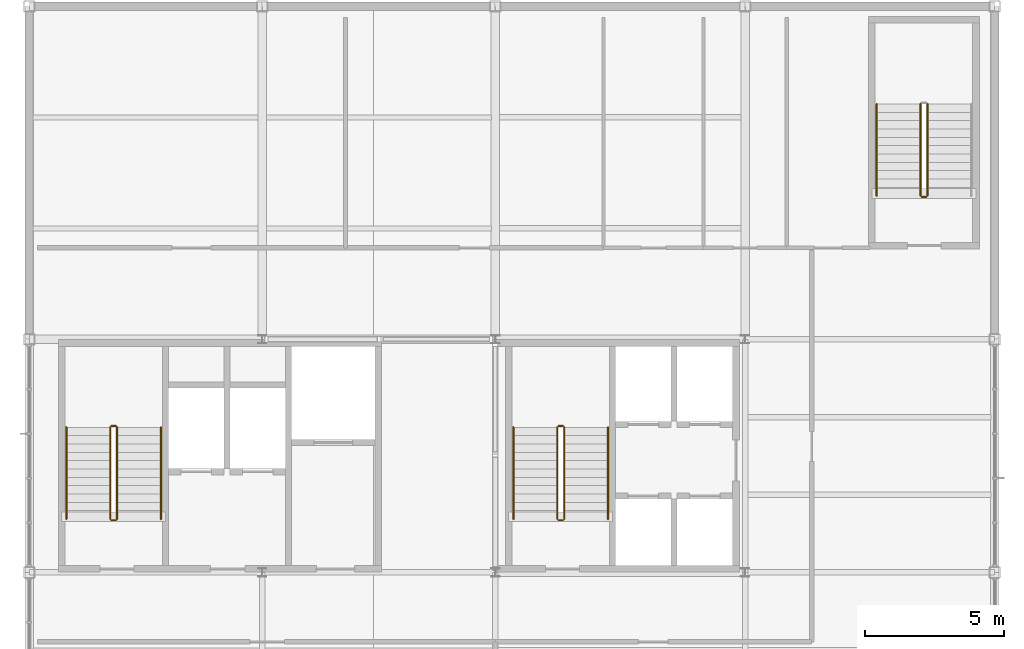
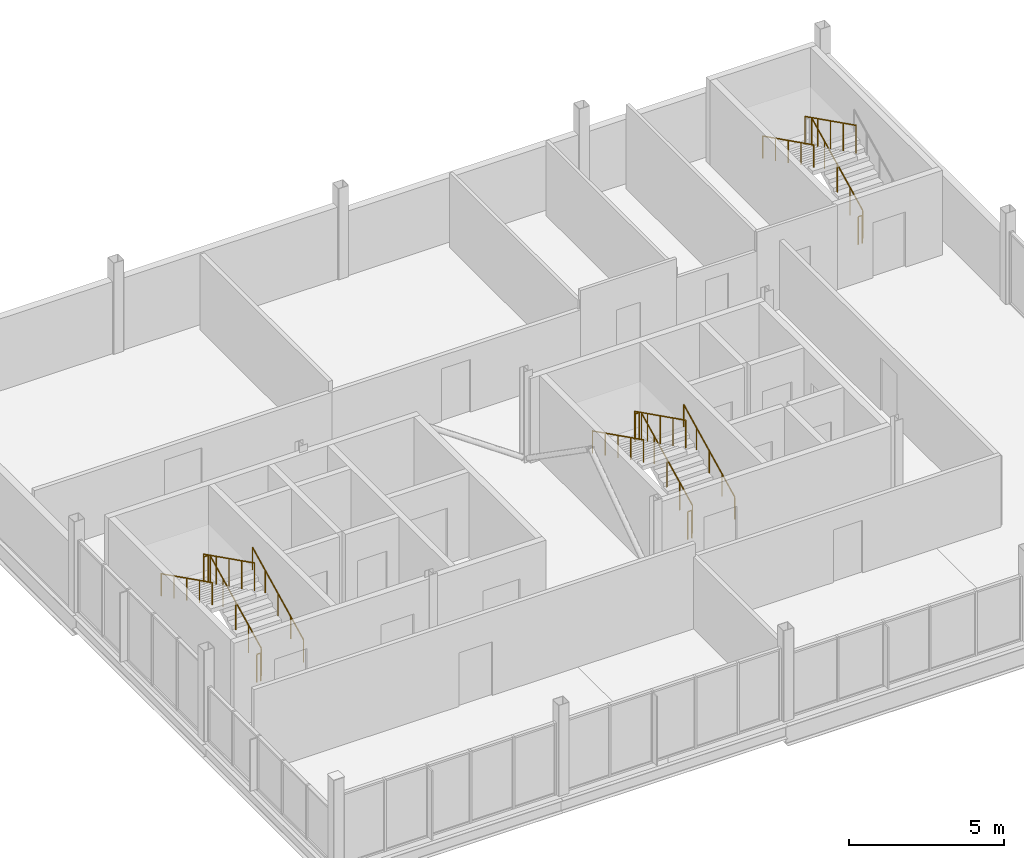
# One storey, part 14 of 15: 16 railings.
"""IFC4 building model written with IfcOpenShell, lengths in metres."""

import ifcopenshell
import ifcopenshell.guid

model = None  # the IFC model being written
_history = None  # IfcOwnerHistory: only IFC2X3 demands one
_inside = {}  # id of a spatial element -> (the spatial element, [elements in it])
_under = {}  # id of a project, library or spatial element -> (it, [spatial elements below it])
_declared = {}  # id of a project -> (the project, [libraries it declares])
_typed = {}  # id of a type object -> (the type object, [elements of that type])
_made_of = {}  # id of a material, layer set ... -> (it, [elements and type objects made of it])


def new_model(schema):
    """Start an empty IFC model of exactly this schema.

    Asked for "IFC4X3", IfcOpenShell would pick the latest addendum, in which some entities
    have other attributes; the version numbers below select the first issue.
    IFC2X3 requires an IfcOwnerHistory on every rooted entity: one is made here for all.
    """
    global model, _history
    if schema == "IFC4X3":
        model = ifcopenshell.file(schema_version=(4, 3, 0, 0))
    else:
        model = ifcopenshell.file(schema=schema)
    _inside.clear()
    _under.clear()
    _declared.clear()
    _typed.clear()
    _made_of.clear()
    _history = None
    if model.schema == "IFC2X3":
        org = make("IfcOrganization", Name="unknown")
        user = make(
            "IfcPersonAndOrganization",
            ThePerson=make("IfcPerson", FamilyName="unknown"),
            TheOrganization=org,
        )
        app = make(
            "IfcApplication",
            ApplicationDeveloper=org,
            Version="unknown",
            ApplicationFullName="unknown",
            ApplicationIdentifier="unknown",
        )
        _history = make(
            "IfcOwnerHistory",
            OwningUser=user,
            OwningApplication=app,
            ChangeAction="ADDED",
            CreationDate=0,
        )
    return model


def make(cls, **values):
    """One entity of the class cls with the attributes given. An attribute that is None is left unset."""
    return model.create_entity(
        cls, **{name: value for name, value in values.items() if value is not None}
    )


def rooted(cls, **values):
    """An entity with a GlobalId (a new one), such as an element, a storey or a relation."""
    return make(cls, GlobalId=ifcopenshell.guid.new(), OwnerHistory=_history, **values)


def si_unit(unit_type, name, prefix=None):
    """IfcSIUnit, for example si_unit("LENGTHUNIT", "METRE", prefix="MILLI")."""
    return make("IfcSIUnit", UnitType=unit_type, Prefix=prefix, Name=name)


def assignment(units):
    """IfcUnitAssignment: the units of a project."""
    return None if units is None else make("IfcUnitAssignment", Units=units)


def point(xyz):
    """IfcCartesianPoint."""
    return None if xyz is None else make("IfcCartesianPoint", Coordinates=xyz)


def direction(xyz):
    """IfcDirection."""
    return None if xyz is None else make("IfcDirection", DirectionRatios=xyz)


def frame(location, z_axis=None, x_axis=None):
    """IfcAxis2Placement3D, a coordinate frame: its origin and axes. An axis left out is left unset."""
    return make(
        "IfcAxis2Placement3D",
        Location=point(location),
        Axis=direction(z_axis),
        RefDirection=direction(x_axis),
    )


def frame_2d(location, x_axis=None):
    """IfcAxis2Placement2D, a coordinate frame in the plane: its origin and x axis."""
    return make(
        "IfcAxis2Placement2D", Location=point(location), RefDirection=direction(x_axis)
    )


def origin():
    """The frame at (0, 0, 0) with its axes left unset."""
    return frame((0.0, 0.0, 0.0))


def origin_2d():
    """The frame at (0, 0) in the plane with its x axis left unset."""
    return frame_2d((0.0, 0.0))


def place(relative_to, where):
    """IfcLocalPlacement: puts the frame where relative to a parent placement (None: the world)."""
    return make(
        "IfcLocalPlacement", PlacementRelTo=relative_to, RelativePlacement=where
    )


def context(
    kind, dimensions, precision=None, world=None, true_north=None, identifier=None
):
    """IfcGeometricRepresentationContext, for example the 3D "Model" context."""
    return make(
        "IfcGeometricRepresentationContext",
        ContextIdentifier=identifier,
        ContextType=kind,
        CoordinateSpaceDimension=dimensions,
        Precision=precision,
        WorldCoordinateSystem=world,
        TrueNorth=true_north,
    )


def subcontext(parent, identifier, kind, view, scale=None):
    """IfcGeometricRepresentationSubContext, for example "Body" below "Model"."""
    return make(
        "IfcGeometricRepresentationSubContext",
        ContextIdentifier=identifier,
        ContextType=kind,
        ParentContext=parent,
        TargetScale=scale,
        TargetView=view,
    )


def project(units=None, contexts=None):
    """IfcProject with its units and contexts."""
    return rooted(
        "IfcProject",
        Name="project",
        RepresentationContexts=contexts,
        UnitsInContext=assignment(units),
    )


def spatial(cls, under=None, at=None, **own):
    """A site, building, storey or space (cls), placed at a placement, below another one or the project."""
    s = rooted(cls, ObjectPlacement=at, **own)
    if under is not None:
        _under.setdefault(under.id(), (under, []))[1].append(s)
    return s


def profile(cls, at=None, kind="AREA", **sizes):
    """A parametric profile (cls). Its sizes go by their IFC names, for example OverallWidth=200.0."""
    return make(cls, ProfileType=kind, Position=at, **sizes)


def circle(**sizes):
    """IfcCircleProfileDef."""
    return profile("IfcCircleProfileDef", **sizes)


def extrude(swept, where, along, depth):
    """IfcExtrudedAreaSolid: the profile swept, set in the frame where, extruded along a direction by depth."""
    return make(
        "IfcExtrudedAreaSolid",
        SweptArea=swept,
        Position=where,
        ExtrudedDirection=direction(along),
        Depth=depth,
    )


def shape(context_of_items, identifier, shape_type, items):
    """IfcShapeRepresentation: the items that make up one representation, for example the "Body"."""
    return make(
        "IfcShapeRepresentation",
        ContextOfItems=context_of_items,
        RepresentationIdentifier=identifier,
        RepresentationType=shape_type,
        Items=items,
    )


def material(Name=None, Category=None):
    """IfcMaterial."""
    return make("IfcMaterial", Name=Name, Category=Category)


def layer(
    of_material, thickness, ventilated=None, Name=None, Category=None, Priority=None
):
    """IfcMaterialLayer: one layer of a wall or slab, of a material (None: an air gap)."""
    return make(
        "IfcMaterialLayer",
        Material=of_material,
        LayerThickness=thickness,
        IsVentilated=ventilated,
        Name=Name,
        Category=Category,
        Priority=Priority,
    )


def layer_set(layers, Name=None):
    """IfcMaterialLayerSet."""
    return make("IfcMaterialLayerSet", MaterialLayers=layers, LayerSetName=Name)


def made_of(thing, what):
    """Note that an element or type object is made of a material, layer set ...; save() writes the relation."""
    if what is not None:
        _made_of.setdefault(what.id(), (what, []))[1].append(thing)
    return thing


def type_object(cls, material=None, **own):
    """A type object (cls), such as IfcWallType, which elements share."""
    return made_of(rooted(cls, **own), material)


def element(
    cls,
    number,
    at=None,
    inside=None,
    cuts=None,
    type_object=None,
    material=None,
    context=None,
    identifier="Body",
    shape_type=None,
    held_by="IfcProductDefinitionShape",
    body=None,
    shapes=None,
    **own,
):
    """One element of the class cls, such as IfcWall. Its Tag is "e" and its number.

    at: its placement. inside: the storey or other place that contains it. cuts: it is an
    opening in that element (IfcRelVoidsElement). A single representation is given by context,
    identifier, shape_type and body (its items); several are given by shapes. held_by: the class
    of the entity that holds the representations. save() writes the other relations.
    """
    e = rooted(cls, Tag="e%d" % number, ObjectPlacement=at, **own)
    if body is not None:
        shapes = [shape(context, identifier, shape_type, body)]
    if shapes is not None:
        e.Representation = make(held_by, Representations=shapes)
    if inside is not None:
        _inside.setdefault(inside.id(), (inside, []))[1].append(e)
    if cuts is not None:
        rooted(
            "IfcRelVoidsElement", RelatingBuildingElement=cuts, RelatedOpeningElement=e
        )
    if type_object is not None:
        _typed.setdefault(type_object.id(), (type_object, []))[1].append(e)
    return made_of(e, material)


def aggregate(whole, parts):
    """IfcRelAggregates: a whole, such as a stair, and the parts it consists of."""
    return rooted("IfcRelAggregates", RelatingObject=whole, RelatedObjects=parts)


def save(model, path):
    """Write the relations noted so far, then the file.

    IfcRelAggregates (storeys below a building ...), IfcRelContainedInSpatialStructure (elements
    in a storey), IfcRelDefinesByType, IfcRelAssociatesMaterial and IfcRelDeclares: one each for
    every whole, place, type object, material and project.
    """
    for whole, parts in _under.values():
        aggregate(whole, parts)
    for where, things in _inside.values():
        rooted(
            "IfcRelContainedInSpatialStructure",
            RelatedElements=things,
            RelatingStructure=where,
        )
    for kind, things in _typed.values():
        rooted("IfcRelDefinesByType", RelatedObjects=things, RelatingType=kind)
    for what, things in _made_of.values():
        rooted("IfcRelAssociatesMaterial", RelatedObjects=things, RelatingMaterial=what)
    for by, libraries in _declared.values():
        rooted("IfcRelDeclares", RelatingContext=by, RelatedDefinitions=libraries)
    model.write(path)


model = new_model("IFC4")

# Units and contexts
model_context = context("Model", 3, precision=1e-05, world=origin(), true_north=direction((0.0, 1.0)))
body_context = subcontext(model_context, "Body", "Model", "MODEL_VIEW")
ifc_project = project(units=[si_unit("LENGTHUNIT", "METRE"), si_unit("AREAUNIT", "SQUARE_METRE"), si_unit("VOLUMEUNIT", "CUBIC_METRE"), si_unit("PLANEANGLEUNIT", "RADIAN"), si_unit("MASSUNIT", "GRAM", prefix="KILO")], contexts=[model_context])

# Site, building, storey
site_placement = place(None, origin())
site = spatial("IfcSite", under=ifc_project, at=site_placement, CompositionType="ELEMENT")
building_placement = place(site_placement, origin())
building = spatial("IfcBuilding", under=site, at=building_placement, Name="Yukiwa Park Conservatory and Herbarium", CompositionType="ELEMENT")
storey_placement = place(building_placement, frame((0.0, 0.0, 54.0)))
storey = spatial("IfcBuildingStorey", under=building, at=storey_placement, Name="L14", CompositionType="ELEMENT", Elevation=54.0)

# Railings
ifc_material_1 = material(Name="Steel Q235B", Category="steel")
ifc_layer_1 = layer(ifc_material_1, 0.050048828125)
ifc_layer_set_1 = layer_set([ifc_layer_1], Name="Steel Q235B")
railing_type_1 = type_object("IfcRailingType", Name="RL-STAIR-GUARD-1120", PredefinedType="BALUSTRADE", material=ifc_layer_set_1)
railing_1_placement = place(storey_placement, frame((136.3701171875, 96.72998046875, 0.14990234375)))
element("IfcRailing", 1, at=railing_1_placement, inside=storey, type_object=railing_type_1, Name="L14 ST-T1 stair guard 1", PredefinedType="BALUSTRADE", context=body_context, shape_type="SweptSolid", body=[
    extrude(circle(Radius=0.02392578125, at=origin_2d()), frame((0.0, 0.0, 1.09619140625), z_axis=(0.0, 0.894413956696, 0.447240063129), x_axis=(-1.0, 0.0, 0.0)), (0.0, 0.0, 1.0), 3.689697265625),
    extrude(circle(Radius=0.02099609375, at=origin_2d()), origin(), (0.0, 0.0, 1.0), 1.072021484375),
    extrude(circle(Radius=0.02099609375, at=origin_2d()), frame((0.0, 0.824951171875, 0.41259765625)), (0.0, 0.0, 1.0), 1.072021484375),
    extrude(circle(Radius=0.02099609375, at=origin_2d()), frame((0.0, 1.64990234375, 0.8251953125)), (0.0, 0.0, 1.0), 1.072021484375),
    extrude(circle(Radius=0.02099609375, at=origin_2d()), frame((0.0, 2.47509765625, 1.237548828125)), (0.0, 0.0, 1.0), 1.072021484375),
    extrude(circle(Radius=0.02099609375, at=origin_2d()), frame((0.0, 3.300048828125, 1.650146484375)), (0.0, 0.0, 1.0), 1.072021484375),
])
railing_2_placement = place(storey_placement, frame((136.320068359375, 100.080078125, 1.800048828125)))
element("IfcRailing", 2, at=railing_2_placement, inside=storey, type_object=railing_type_1, Name="L14 ST-T1 stair guard 2", PredefinedType="BALUSTRADE", context=body_context, shape_type="SweptSolid", body=[
    extrude(circle(Radius=0.02392578125, at=origin_2d()), frame((0.0, 0.0, 1.09619140625), z_axis=(-1.0, 0.0, 0.0), x_axis=(0.0, -1.0, 0.0)), (0.0, 0.0, 1.0), 0.150146484375),
    extrude(circle(Radius=0.02099609375, at=origin_2d()), origin(), (0.0, 0.0, 1.0), 1.072021484375),
    extrude(circle(Radius=0.02099609375, at=origin_2d()), frame((-0.150146484375, 0.0, 0.0)), (0.0, 0.0, 1.0), 1.072021484375),
])
railing_3_placement = place(storey_placement, frame((136.1201171875, 100.030029296875, 1.949951171875)))
element("IfcRailing", 3, at=railing_3_placement, inside=storey, type_object=railing_type_1, Name="L14 ST-T1 stair guard 3", PredefinedType="BALUSTRADE", context=body_context, shape_type="SweptSolid", body=[
    extrude(circle(Radius=0.02392578125, at=origin_2d()), frame((0.0, 0.0, 1.09619140625), z_axis=(0.0, -0.894413956696, 0.447240063129), x_axis=(1.0, 0.0, 0.0)), (0.0, 0.0, 1.0), 3.689697265625),
    extrude(circle(Radius=0.02099609375, at=origin_2d()), origin(), (0.0, 0.0, 1.0), 1.072021484375),
    extrude(circle(Radius=0.02099609375, at=origin_2d()), frame((0.0, -0.824951171875, 0.41259765625)), (0.0, 0.0, 1.0), 1.072021484375),
    extrude(circle(Radius=0.02099609375, at=origin_2d()), frame((0.0, -1.64990234375, 0.8251953125)), (0.0, 0.0, 1.0), 1.072021484375),
    extrude(circle(Radius=0.02099609375, at=origin_2d()), frame((0.0, -2.47509765625, 1.237548828125)), (0.0, 0.0, 1.0), 1.072021484375),
    extrude(circle(Radius=0.02099609375, at=origin_2d()), frame((0.0, -3.300048828125, 1.650146484375)), (0.0, 0.0, 1.0), 1.072021484375),
])
railing_4_placement = place(storey_placement, frame((136.320068359375, 96.679931640625, 0.0)))
element("IfcRailing", 4, at=railing_4_placement, inside=storey, type_object=railing_type_1, Name="L14 ST-T1 stair guard 4", PredefinedType="BALUSTRADE", context=body_context, shape_type="SweptSolid", body=[
    extrude(circle(Radius=0.02392578125, at=origin_2d()), frame((0.0, 0.0, 1.09619140625), z_axis=(-1.0, 0.0, 0.0), x_axis=(0.0, -1.0, 0.0)), (0.0, 0.0, 1.0), 0.150146484375),
    extrude(circle(Radius=0.02099609375, at=origin_2d()), origin(), (0.0, 0.0, 1.0), 1.072021484375),
    extrude(circle(Radius=0.02099609375, at=origin_2d()), frame((-0.150146484375, 0.0, 0.0)), (0.0, 0.0, 1.0), 1.072021484375),
])
railing_5_placement = place(storey_placement, frame((152.47998046875, 96.72998046875, 0.14990234375)))
element("IfcRailing", 5, at=railing_5_placement, inside=storey, type_object=railing_type_1, Name="L14 ST-T2 stair guard 1", PredefinedType="BALUSTRADE", context=body_context, shape_type="SweptSolid", body=[
    extrude(circle(Radius=0.02392578125, at=origin_2d()), frame((0.0, 0.0, 1.09619140625), z_axis=(0.0, 0.894413956696, 0.447240063129), x_axis=(-1.0, 0.0, 0.0)), (0.0, 0.0, 1.0), 3.689697265625),
    extrude(circle(Radius=0.02099609375, at=origin_2d()), origin(), (0.0, 0.0, 1.0), 1.072021484375),
    extrude(circle(Radius=0.02099609375, at=origin_2d()), frame((0.0, 0.824951171875, 0.41259765625)), (0.0, 0.0, 1.0), 1.072021484375),
    extrude(circle(Radius=0.02099609375, at=origin_2d()), frame((0.0, 1.64990234375, 0.8251953125)), (0.0, 0.0, 1.0), 1.072021484375),
    extrude(circle(Radius=0.02099609375, at=origin_2d()), frame((0.0, 2.47509765625, 1.237548828125)), (0.0, 0.0, 1.0), 1.072021484375),
    extrude(circle(Radius=0.02099609375, at=origin_2d()), frame((0.0, 3.300048828125, 1.650146484375)), (0.0, 0.0, 1.0), 1.072021484375),
])
railing_6_placement = place(storey_placement, frame((152.429931640625, 100.080078125, 1.800048828125)))
element("IfcRailing", 6, at=railing_6_placement, inside=storey, type_object=railing_type_1, Name="L14 ST-T2 stair guard 2", PredefinedType="BALUSTRADE", context=body_context, shape_type="SweptSolid", body=[
    extrude(circle(Radius=0.02392578125, at=origin_2d()), frame((0.0, 0.0, 1.09619140625), z_axis=(-1.0, 0.0, 0.0), x_axis=(0.0, -1.0, 0.0)), (0.0, 0.0, 1.0), 0.14990234375),
    extrude(circle(Radius=0.02099609375, at=origin_2d()), origin(), (0.0, 0.0, 1.0), 1.072021484375),
    extrude(circle(Radius=0.02099609375, at=origin_2d()), frame((-0.14990234375, 0.0, 0.0)), (0.0, 0.0, 1.0), 1.072021484375),
])
railing_7_placement = place(storey_placement, frame((152.22998046875, 100.030029296875, 1.949951171875)))
element("IfcRailing", 7, at=railing_7_placement, inside=storey, type_object=railing_type_1, Name="L14 ST-T2 stair guard 3", PredefinedType="BALUSTRADE", context=body_context, shape_type="SweptSolid", body=[
    extrude(circle(Radius=0.02392578125, at=origin_2d()), frame((0.0, 0.0, 1.09619140625), z_axis=(0.0, -0.894413956696, 0.447240063129), x_axis=(1.0, 0.0, 0.0)), (0.0, 0.0, 1.0), 3.689697265625),
    extrude(circle(Radius=0.02099609375, at=origin_2d()), origin(), (0.0, 0.0, 1.0), 1.072021484375),
    extrude(circle(Radius=0.02099609375, at=origin_2d()), frame((0.0, -0.824951171875, 0.41259765625)), (0.0, 0.0, 1.0), 1.072021484375),
    extrude(circle(Radius=0.02099609375, at=origin_2d()), frame((0.0, -1.64990234375, 0.8251953125)), (0.0, 0.0, 1.0), 1.072021484375),
    extrude(circle(Radius=0.02099609375, at=origin_2d()), frame((0.0, -2.47509765625, 1.237548828125)), (0.0, 0.0, 1.0), 1.072021484375),
    extrude(circle(Radius=0.02099609375, at=origin_2d()), frame((0.0, -3.300048828125, 1.650146484375)), (0.0, 0.0, 1.0), 1.072021484375),
])
railing_8_placement = place(storey_placement, frame((152.429931640625, 96.679931640625, 0.0)))
element("IfcRailing", 8, at=railing_8_placement, inside=storey, type_object=railing_type_1, Name="L14 ST-T2 stair guard 4", PredefinedType="BALUSTRADE", context=body_context, shape_type="SweptSolid", body=[
    extrude(circle(Radius=0.02392578125, at=origin_2d()), frame((0.0, 0.0, 1.09619140625), z_axis=(-1.0, 0.0, 0.0), x_axis=(0.0, -1.0, 0.0)), (0.0, 0.0, 1.0), 0.14990234375),
    extrude(circle(Radius=0.02099609375, at=origin_2d()), origin(), (0.0, 0.0, 1.0), 1.072021484375),
    extrude(circle(Radius=0.02099609375, at=origin_2d()), frame((-0.14990234375, 0.0, 0.0)), (0.0, 0.0, 1.0), 1.072021484375),
])
railing_9_placement = place(storey_placement, frame((165.570068359375, 108.3798828125, 0.14990234375)))
element("IfcRailing", 9, at=railing_9_placement, inside=storey, type_object=railing_type_1, Name="L14 ST-T3 stair guard 1", PredefinedType="BALUSTRADE", context=body_context, shape_type="SweptSolid", body=[
    extrude(circle(Radius=0.02392578125, at=origin_2d()), frame((0.0, 0.0, 1.09619140625), z_axis=(0.0, 0.894413956696, 0.447240063129), x_axis=(-1.0, 0.0, 0.0)), (0.0, 0.0, 1.0), 3.689697265625),
    extrude(circle(Radius=0.02099609375, at=origin_2d()), origin(), (0.0, 0.0, 1.0), 1.072021484375),
    extrude(circle(Radius=0.02099609375, at=origin_2d()), frame((0.0, 0.824951171875, 0.41259765625)), (0.0, 0.0, 1.0), 1.072021484375),
    extrude(circle(Radius=0.02099609375, at=origin_2d()), frame((0.0, 1.64990234375, 0.8251953125)), (0.0, 0.0, 1.0), 1.072021484375),
    extrude(circle(Radius=0.02099609375, at=origin_2d()), frame((0.0, 2.47509765625, 1.237548828125)), (0.0, 0.0, 1.0), 1.072021484375),
    extrude(circle(Radius=0.02099609375, at=origin_2d()), frame((0.0, 3.300048828125, 1.650146484375)), (0.0, 0.0, 1.0), 1.072021484375),
])
railing_10_placement = place(storey_placement, frame((165.320068359375, 111.679931640625, 1.949951171875)))
element("IfcRailing", 10, at=railing_10_placement, inside=storey, type_object=railing_type_1, Name="L14 ST-T3 stair guard 3", PredefinedType="BALUSTRADE", context=body_context, shape_type="SweptSolid", body=[
    extrude(circle(Radius=0.02392578125, at=origin_2d()), frame((0.0, 0.0, 1.09619140625), z_axis=(0.0, -0.894413956696, 0.447240063129), x_axis=(1.0, 0.0, 0.0)), (0.0, 0.0, 1.0), 3.689697265625),
    extrude(circle(Radius=0.02099609375, at=origin_2d()), origin(), (0.0, 0.0, 1.0), 1.072021484375),
    extrude(circle(Radius=0.02099609375, at=origin_2d()), frame((0.0, -0.824951171875, 0.41259765625)), (0.0, 0.0, 1.0), 1.072021484375),
    extrude(circle(Radius=0.02099609375, at=origin_2d()), frame((0.0, -1.64990234375, 0.8251953125)), (0.0, 0.0, 1.0), 1.072021484375),
    extrude(circle(Radius=0.02099609375, at=origin_2d()), frame((0.0, -2.47509765625, 1.237548828125)), (0.0, 0.0, 1.0), 1.072021484375),
    extrude(circle(Radius=0.02099609375, at=origin_2d()), frame((0.0, -3.300048828125, 1.650146484375)), (0.0, 0.0, 1.0), 1.072021484375),
])
railing_11_placement = place(storey_placement, frame((165.52001953125, 108.330078125, 0.0)))
element("IfcRailing", 11, at=railing_11_placement, inside=storey, type_object=railing_type_1, Name="L14 ST-T3 stair guard 4", PredefinedType="BALUSTRADE", context=body_context, shape_type="SweptSolid", body=[
    extrude(circle(Radius=0.02392578125, at=origin_2d()), frame((0.0, 0.0, 1.09619140625), z_axis=(-1.0, 0.0, 0.0), x_axis=(0.0, -1.0, 0.0)), (0.0, 0.0, 1.0), 0.14990234375),
    extrude(circle(Radius=0.02099609375, at=origin_2d()), origin(), (0.0, 0.0, 1.0), 1.072021484375),
    extrude(circle(Radius=0.02099609375, at=origin_2d()), frame((-0.14990234375, 0.0, 0.0)), (0.0, 0.0, 1.0), 1.072021484375),
])
ifc_material_2 = material(Name="Steel Q235B", Category="steel")
ifc_layer_2 = layer(ifc_material_2, 0.044921875)
ifc_layer_set_2 = layer_set([ifc_layer_2], Name="Steel Q235B")
railing_type_2 = type_object("IfcRailingType", Name="RL-STAIR-RAIL-900", PredefinedType="HANDRAIL", material=ifc_layer_set_2)
railing_12_placement = place(storey_placement, frame((137.949951171875, 96.72998046875, 0.14990234375)))
element("IfcRailing", 12, at=railing_12_placement, inside=storey, type_object=railing_type_2, Name="L14 ST-T1 stair handrail 1", PredefinedType="HANDRAIL", context=body_context, shape_type="SweptSolid", body=[
    extrude(circle(Radius=0.02392578125, at=origin_2d()), frame((0.0, 0.0, 0.8759765625), z_axis=(0.0, 0.894413956696, 0.447240063129), x_axis=(-1.0, 0.0, 0.0)), (0.0, 0.0, 1.0), 3.689697265625),
    extrude(circle(Radius=0.02099609375, at=origin_2d()), origin(), (0.0, 0.0, 1.0), 0.851806640625),
    extrude(circle(Radius=0.02099609375, at=origin_2d()), frame((0.0, 0.824951171875, 0.41259765625)), (0.0, 0.0, 1.0), 0.851806640625),
    extrude(circle(Radius=0.02099609375, at=origin_2d()), frame((0.0, 1.64990234375, 0.8251953125)), (0.0, 0.0, 1.0), 0.851806640625),
    extrude(circle(Radius=0.02099609375, at=origin_2d()), frame((0.0, 2.47509765625, 1.237548828125)), (0.0, 0.0, 1.0), 0.851806640625),
    extrude(circle(Radius=0.02099609375, at=origin_2d()), frame((0.0, 3.300048828125, 1.650146484375)), (0.0, 0.0, 1.0), 0.851806640625),
])
railing_13_placement = place(storey_placement, frame((134.5400390625, 100.030029296875, 1.949951171875)))
element("IfcRailing", 13, at=railing_13_placement, inside=storey, type_object=railing_type_2, Name="L14 ST-T1 stair handrail 2", PredefinedType="HANDRAIL", context=body_context, shape_type="SweptSolid", body=[
    extrude(circle(Radius=0.02392578125, at=origin_2d()), frame((0.0, 0.0, 0.8759765625), z_axis=(0.0, -0.894413956696, 0.447240063129), x_axis=(1.0, 0.0, 0.0)), (0.0, 0.0, 1.0), 3.689697265625),
    extrude(circle(Radius=0.02099609375, at=origin_2d()), origin(), (0.0, 0.0, 1.0), 0.851806640625),
    extrude(circle(Radius=0.02099609375, at=origin_2d()), frame((0.0, -0.824951171875, 0.41259765625)), (0.0, 0.0, 1.0), 0.851806640625),
    extrude(circle(Radius=0.02099609375, at=origin_2d()), frame((0.0, -1.64990234375, 0.8251953125)), (0.0, 0.0, 1.0), 0.851806640625),
    extrude(circle(Radius=0.02099609375, at=origin_2d()), frame((0.0, -2.47509765625, 1.237548828125)), (0.0, 0.0, 1.0), 0.851806640625),
    extrude(circle(Radius=0.02099609375, at=origin_2d()), frame((0.0, -3.300048828125, 1.650146484375)), (0.0, 0.0, 1.0), 0.851806640625),
])
railing_14_placement = place(storey_placement, frame((154.06005859375, 96.72998046875, 0.14990234375)))
element("IfcRailing", 14, at=railing_14_placement, inside=storey, type_object=railing_type_2, Name="L14 ST-T2 stair handrail 1", PredefinedType="HANDRAIL", context=body_context, shape_type="SweptSolid", body=[
    extrude(circle(Radius=0.02392578125, at=origin_2d()), frame((0.0, 0.0, 0.8759765625), z_axis=(0.0, 0.894413956696, 0.447240063129), x_axis=(-1.0, 0.0, 0.0)), (0.0, 0.0, 1.0), 3.689697265625),
    extrude(circle(Radius=0.02099609375, at=origin_2d()), origin(), (0.0, 0.0, 1.0), 0.851806640625),
    extrude(circle(Radius=0.02099609375, at=origin_2d()), frame((0.0, 0.824951171875, 0.41259765625)), (0.0, 0.0, 1.0), 0.851806640625),
    extrude(circle(Radius=0.02099609375, at=origin_2d()), frame((0.0, 1.64990234375, 0.8251953125)), (0.0, 0.0, 1.0), 0.851806640625),
    extrude(circle(Radius=0.02099609375, at=origin_2d()), frame((0.0, 2.47509765625, 1.237548828125)), (0.0, 0.0, 1.0), 0.851806640625),
    extrude(circle(Radius=0.02099609375, at=origin_2d()), frame((0.0, 3.300048828125, 1.650146484375)), (0.0, 0.0, 1.0), 0.851806640625),
])
for number, where, name in (
    (15, (150.64990234375, 100.030029296875, 1.949951171875), "L14 ST-T2 stair handrail 2"),
    (16, (163.739990234375, 111.679931640625, 1.949951171875), "L14 ST-T3 stair handrail 2"),
):
    element("IfcRailing", number, at=place(storey_placement, frame(where)), inside=storey, type_object=railing_type_2, Name=name, PredefinedType="HANDRAIL", context=body_context, shape_type="SweptSolid", body=[
        extrude(circle(Radius=0.02392578125, at=origin_2d()), frame((0.0, 0.0, 0.8759765625), z_axis=(0.0, -0.894413956696, 0.447240063129), x_axis=(1.0, 0.0, 0.0)), (0.0, 0.0, 1.0), 3.689697265625),
        extrude(circle(Radius=0.02099609375, at=origin_2d()), origin(), (0.0, 0.0, 1.0), 0.851806640625),
        extrude(circle(Radius=0.02099609375, at=origin_2d()), frame((0.0, -0.824951171875, 0.41259765625)), (0.0, 0.0, 1.0), 0.851806640625),
        extrude(circle(Radius=0.02099609375, at=origin_2d()), frame((0.0, -1.64990234375, 0.8251953125)), (0.0, 0.0, 1.0), 0.851806640625),
        extrude(circle(Radius=0.02099609375, at=origin_2d()), frame((0.0, -2.47509765625, 1.237548828125)), (0.0, 0.0, 1.0), 0.851806640625),
        extrude(circle(Radius=0.02099609375, at=origin_2d()), frame((0.0, -3.300048828125, 1.650146484375)), (0.0, 0.0, 1.0), 0.851806640625),
    ])

save(model, "model.ifc")
